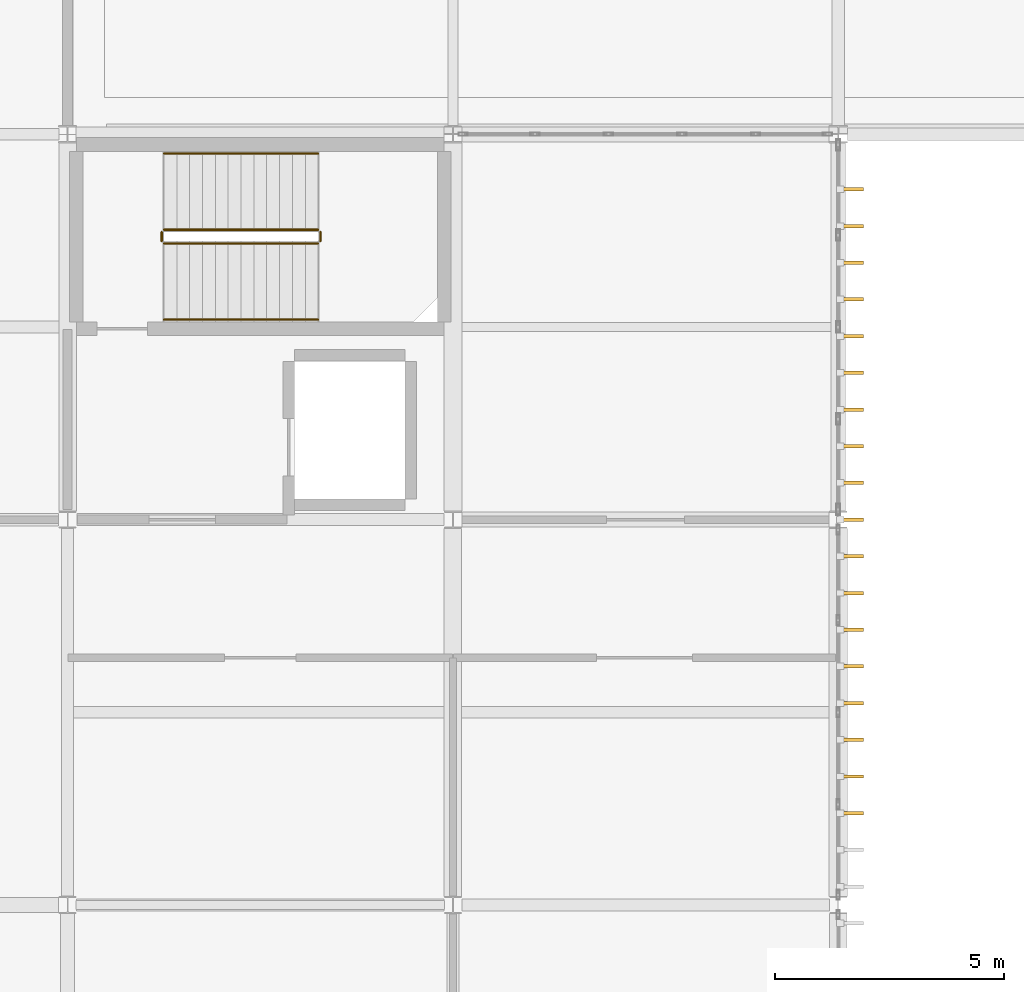
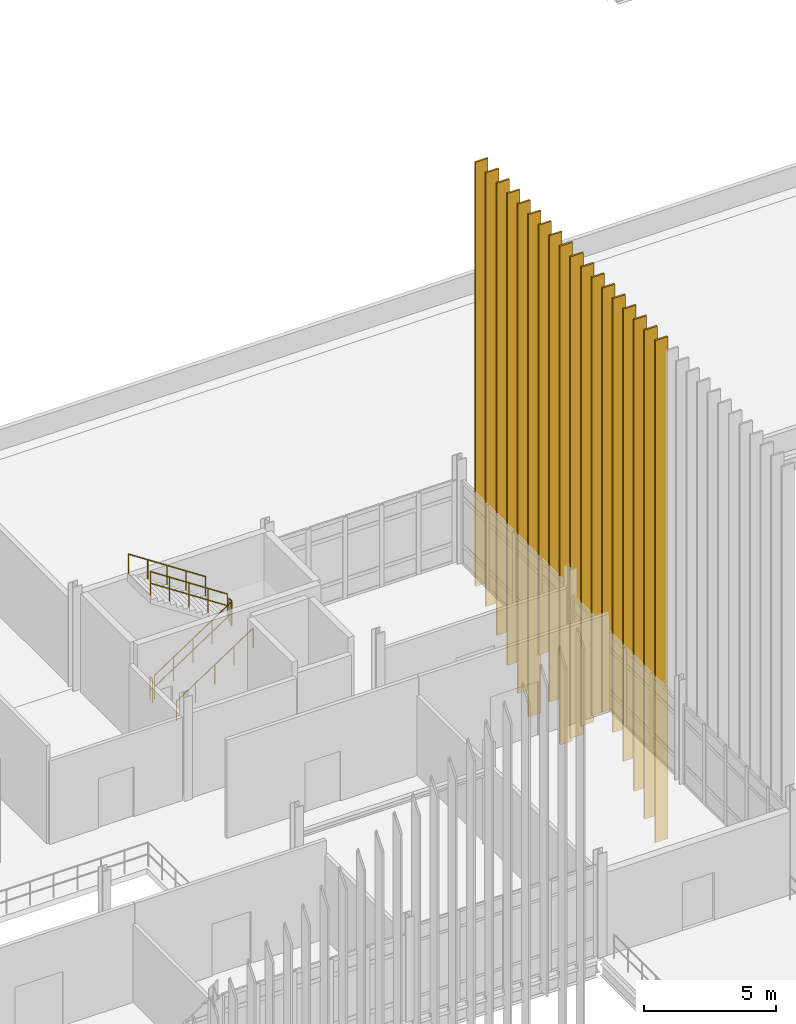
# One storey, part 144 of 153: 18 coverings, 6 railings.
"""IFC4 building model written with IfcOpenShell, lengths in metres."""

from ifc_helpers import new_model, si_unit, direction, frame, origin, origin_2d, place, context, subcontext, project, spatial, rectangle, circle, extrude, material, layer, layer_set, type_object, element, save


model = new_model("IFC4")

# Units and contexts
model_context = context("Model", 3, precision=1e-05, world=origin(), true_north=direction((0.0, 1.0)))
body_context = subcontext(model_context, "Body", "Model", "MODEL_VIEW")
ifc_project = project(units=[si_unit("LENGTHUNIT", "METRE"), si_unit("AREAUNIT", "SQUARE_METRE"), si_unit("VOLUMEUNIT", "CUBIC_METRE"), si_unit("PLANEANGLEUNIT", "RADIAN"), si_unit("MASSUNIT", "GRAM", prefix="KILO")], contexts=[model_context])

# Site, building, storey
site_placement = place(None, origin())
site = spatial("IfcSite", under=ifc_project, at=site_placement, CompositionType="ELEMENT")
building_placement = place(site_placement, origin())
building = spatial("IfcBuilding", under=site, at=building_placement, Name="Calvrana Isthmian Art Gallery", CompositionType="ELEMENT")
storey_placement = place(building_placement, frame((0.0, 0.0, 10.199951171875)))
storey = spatial("IfcBuildingStorey", under=building, at=storey_placement, Name="L02", CompositionType="ELEMENT", Elevation=10.199951171875)

# Coverings
ifc_material_1 = material(Name="Anodized bronze aluminium 6063-T6", Category="aluminium")
ifc_layer = layer(ifc_material_1, 0.074951171875, Name="Anodized bronze aluminium 6063-T6")
ifc_layer_set = layer_set([ifc_layer], Name="Anodized bronze aluminium 6063-T6")
covering_type = type_object("IfcCoveringType", Name="COV-FIN-550", PredefinedType="CLADDING", material=ifc_layer_set)
covering_1_placement = place(storey_placement, frame((80.673095703125, 32.0, -4.0498046875), z_axis=(0.0, 0.0, 1.0), x_axis=(1.0, 0.0, 0.0)))
element("IfcCovering", 1, at=covering_1_placement, inside=storey, type_object=covering_type, Name="Anodized bronze vertical solar fin FN-145", PredefinedType="CLADDING", context=body_context, shape_type="SweptSolid", body=[
    extrude(rectangle(XDim=0.550048828125, YDim=0.074951171875, at=origin_2d()), origin(), (0.0, 0.0, 1.0), 23.199951171875),
])
covering_2_placement = place(storey_placement, frame((80.673095703125, 32.800048828125, -3.449951171875), z_axis=(0.0, 0.0, 1.0), x_axis=(1.0, 0.0, 0.0)))
element("IfcCovering", 2, at=covering_2_placement, inside=storey, type_object=covering_type, Name="Anodized bronze vertical solar fin FN-146", PredefinedType="CLADDING", context=body_context, shape_type="SweptSolid", body=[
    extrude(rectangle(XDim=0.550048828125, YDim=0.074951171875, at=origin_2d()), origin(), (0.0, 0.0, 1.0), 22.60009765625),
])
covering_3_placement = place(storey_placement, frame((80.673095703125, 33.60009765625, -2.64990234375), z_axis=(0.0, 0.0, 1.0), x_axis=(1.0, 0.0, 0.0)))
element("IfcCovering", 3, at=covering_3_placement, inside=storey, type_object=covering_type, Name="Anodized bronze vertical solar fin FN-147", PredefinedType="CLADDING", context=body_context, shape_type="SweptSolid", body=[
    extrude(rectangle(XDim=0.550048828125, YDim=0.074951171875, at=origin_2d()), origin(), (0.0, 0.0, 1.0), 21.800048828125),
])
covering_4_placement = place(storey_placement, frame((80.673095703125, 34.39990234375, -1.75), z_axis=(0.0, 0.0, 1.0), x_axis=(1.0, 0.0, 0.0)))
element("IfcCovering", 4, at=covering_4_placement, inside=storey, type_object=covering_type, Name="Anodized bronze vertical solar fin FN-148", PredefinedType="CLADDING", context=body_context, shape_type="SweptSolid", body=[
    extrude(rectangle(XDim=0.550048828125, YDim=0.074951171875, at=origin_2d()), origin(), (0.0, 0.0, 1.0), 20.89990234375),
])
covering_5_placement = place(storey_placement, frame((80.673095703125, 35.199951171875, -0.89990234375), z_axis=(0.0, 0.0, 1.0), x_axis=(1.0, 0.0, 0.0)))
element("IfcCovering", 5, at=covering_5_placement, inside=storey, type_object=covering_type, Name="Anodized bronze vertical solar fin FN-149", PredefinedType="CLADDING", context=body_context, shape_type="SweptSolid", body=[
    extrude(rectangle(XDim=0.550048828125, YDim=0.074951171875, at=origin_2d()), origin(), (0.0, 0.0, 1.0), 20.050048828125),
])
covering_6_placement = place(storey_placement, frame((80.673095703125, 36.0, -0.449951171875), z_axis=(0.0, 0.0, 1.0), x_axis=(1.0, 0.0, 0.0)))
element("IfcCovering", 6, at=covering_6_placement, inside=storey, type_object=covering_type, Name="Anodized bronze vertical solar fin FN-150", PredefinedType="CLADDING", context=body_context, shape_type="SweptSolid", body=[
    extrude(rectangle(XDim=0.550048828125, YDim=0.074951171875, at=origin_2d()), origin(), (0.0, 0.0, 1.0), 19.60009765625),
])
covering_7_placement = place(storey_placement, frame((80.673095703125, 36.800048828125, -1.099853515625), z_axis=(0.0, 0.0, 1.0), x_axis=(1.0, 0.0, 0.0)))
element("IfcCovering", 7, at=covering_7_placement, inside=storey, type_object=covering_type, Name="Anodized bronze vertical solar fin FN-151", PredefinedType="CLADDING", context=body_context, shape_type="SweptSolid", body=[
    extrude(rectangle(XDim=0.550048828125, YDim=0.074951171875, at=origin_2d()), origin(), (0.0, 0.0, 1.0), 20.25),
])
covering_8_placement = place(storey_placement, frame((80.673095703125, 37.60009765625, -2.0498046875), z_axis=(0.0, 0.0, 1.0), x_axis=(1.0, 0.0, 0.0)))
element("IfcCovering", 8, at=covering_8_placement, inside=storey, type_object=covering_type, Name="Anodized bronze vertical solar fin FN-152", PredefinedType="CLADDING", context=body_context, shape_type="SweptSolid", body=[
    extrude(rectangle(XDim=0.550048828125, YDim=0.074951171875, at=origin_2d()), origin(), (0.0, 0.0, 1.0), 21.199951171875),
])
covering_9_placement = place(storey_placement, frame((80.673095703125, 38.39990234375, -3.099853515625), z_axis=(0.0, 0.0, 1.0), x_axis=(1.0, 0.0, 0.0)))
element("IfcCovering", 9, at=covering_9_placement, inside=storey, type_object=covering_type, Name="Anodized bronze vertical solar fin FN-153", PredefinedType="CLADDING", context=body_context, shape_type="SweptSolid", body=[
    extrude(rectangle(XDim=0.550048828125, YDim=0.074951171875, at=origin_2d()), origin(), (0.0, 0.0, 1.0), 22.25),
])
covering_10_placement = place(storey_placement, frame((80.673095703125, 39.199951171875, -3.89990234375), z_axis=(0.0, 0.0, 1.0), x_axis=(1.0, 0.0, 0.0)))
element("IfcCovering", 10, at=covering_10_placement, inside=storey, type_object=covering_type, Name="Anodized bronze vertical solar fin FN-154", PredefinedType="CLADDING", context=body_context, shape_type="SweptSolid", body=[
    extrude(rectangle(XDim=0.550048828125, YDim=0.074951171875, at=origin_2d()), origin(), (0.0, 0.0, 1.0), 23.050048828125),
])
covering_11_placement = place(storey_placement, frame((80.673095703125, 40.0, -2.39990234375), z_axis=(0.0, 0.0, 1.0), x_axis=(1.0, 0.0, 0.0)))
element("IfcCovering", 11, at=covering_11_placement, inside=storey, type_object=covering_type, Name="Anodized bronze vertical solar fin FN-155", PredefinedType="CLADDING", context=body_context, shape_type="SweptSolid", body=[
    extrude(rectangle(XDim=0.550048828125, YDim=0.074951171875, at=origin_2d()), origin(), (0.0, 0.0, 1.0), 21.550048828125),
])
covering_12_placement = place(storey_placement, frame((80.673095703125, 40.800048828125, -0.699951171875), z_axis=(0.0, 0.0, 1.0), x_axis=(1.0, 0.0, 0.0)))
element("IfcCovering", 12, at=covering_12_placement, inside=storey, type_object=covering_type, Name="Anodized bronze vertical solar fin FN-156", PredefinedType="CLADDING", context=body_context, shape_type="SweptSolid", body=[
    extrude(rectangle(XDim=0.550048828125, YDim=0.074951171875, at=origin_2d()), origin(), (0.0, 0.0, 1.0), 19.85009765625),
])
covering_13_placement = place(storey_placement, frame((80.673095703125, 41.60009765625, -4.0498046875), z_axis=(0.0, 0.0, 1.0), x_axis=(1.0, 0.0, 0.0)))
element("IfcCovering", 13, at=covering_13_placement, inside=storey, type_object=covering_type, Name="Anodized bronze vertical solar fin FN-157", PredefinedType="CLADDING", context=body_context, shape_type="SweptSolid", body=[
    extrude(rectangle(XDim=0.550048828125, YDim=0.074951171875, at=origin_2d()), origin(), (0.0, 0.0, 1.0), 23.199951171875),
])
covering_14_placement = place(storey_placement, frame((80.673095703125, 42.39990234375, -3.449951171875), z_axis=(0.0, 0.0, 1.0), x_axis=(1.0, 0.0, 0.0)))
element("IfcCovering", 14, at=covering_14_placement, inside=storey, type_object=covering_type, Name="Anodized bronze vertical solar fin FN-158", PredefinedType="CLADDING", context=body_context, shape_type="SweptSolid", body=[
    extrude(rectangle(XDim=0.550048828125, YDim=0.074951171875, at=origin_2d()), origin(), (0.0, 0.0, 1.0), 22.60009765625),
])
covering_15_placement = place(storey_placement, frame((80.673095703125, 43.199951171875, -2.64990234375), z_axis=(0.0, 0.0, 1.0), x_axis=(1.0, 0.0, 0.0)))
element("IfcCovering", 15, at=covering_15_placement, inside=storey, type_object=covering_type, Name="Anodized bronze vertical solar fin FN-159", PredefinedType="CLADDING", context=body_context, shape_type="SweptSolid", body=[
    extrude(rectangle(XDim=0.550048828125, YDim=0.074951171875, at=origin_2d()), origin(), (0.0, 0.0, 1.0), 21.800048828125),
])
covering_16_placement = place(storey_placement, frame((80.673095703125, 44.0, -1.75), z_axis=(0.0, 0.0, 1.0), x_axis=(1.0, 0.0, 0.0)))
element("IfcCovering", 16, at=covering_16_placement, inside=storey, type_object=covering_type, Name="Anodized bronze vertical solar fin FN-160", PredefinedType="CLADDING", context=body_context, shape_type="SweptSolid", body=[
    extrude(rectangle(XDim=0.550048828125, YDim=0.074951171875, at=origin_2d()), origin(), (0.0, 0.0, 1.0), 20.89990234375),
])
covering_17_placement = place(storey_placement, frame((80.673095703125, 44.800048828125, -0.89990234375), z_axis=(0.0, 0.0, 1.0), x_axis=(1.0, 0.0, 0.0)))
element("IfcCovering", 17, at=covering_17_placement, inside=storey, type_object=covering_type, Name="Anodized bronze vertical solar fin FN-161", PredefinedType="CLADDING", context=body_context, shape_type="SweptSolid", body=[
    extrude(rectangle(XDim=0.550048828125, YDim=0.074951171875, at=origin_2d()), origin(), (0.0, 0.0, 1.0), 20.050048828125),
])
covering_18_placement = place(storey_placement, frame((80.673095703125, 45.60009765625, -0.449951171875), z_axis=(0.0, 0.0, 1.0), x_axis=(1.0, 0.0, 0.0)))
element("IfcCovering", 18, at=covering_18_placement, inside=storey, type_object=covering_type, Name="Anodized bronze vertical solar fin FN-162", PredefinedType="CLADDING", context=body_context, shape_type="SweptSolid", body=[
    extrude(rectangle(XDim=0.550048828125, YDim=0.074951171875, at=origin_2d()), origin(), (0.0, 0.0, 1.0), 19.60009765625),
])

# Railings
ifc_material_2 = material(Name="Stainless steel 316", Category="steel")
railing_type_1 = type_object("IfcRailingType", Name="RL-GUARD-1120", PredefinedType="BALUSTRADE", material=ifc_material_2)
railing_1_placement = place(storey_placement, frame((65.699951171875, 44.419921875, 0.1845703125)))
element("IfcRailing", 19, at=railing_1_placement, inside=storey, type_object=railing_type_1, Name="Stair ST-2 guard L02-1", PredefinedType="BALUSTRADE", context=body_context, shape_type="SweptSolid", body=[
    extrude(circle(Radius=0.02392578125, at=origin_2d()), frame((0.0, 0.0, 1.09619140625), z_axis=(0.834848600103, 0.0, 0.550479622607), x_axis=(0.0, 1.0, 0.0)), (0.0, 0.0, 1.0), 4.02490234375),
    extrude(circle(Radius=0.02392578125, at=origin_2d()), frame((0.0, 0.0, 0.56005859375), z_axis=(0.834848600103, 0.0, 0.550479622607), x_axis=(0.0, 1.0, 0.0)), (0.0, 0.0, 1.0), 4.02490234375),
    extrude(circle(Radius=0.02099609375, at=origin_2d()), origin(), (0.0, 0.0, 1.0), 1.072021484375),
    extrude(circle(Radius=0.02099609375, at=origin_2d()), frame((0.840087890625, 0.0, 0.553955078125)), (0.0, 0.0, 1.0), 1.072021484375),
    extrude(circle(Radius=0.02099609375, at=origin_2d()), frame((1.68017578125, 0.0, 1.10791015625)), (0.0, 0.0, 1.0), 1.072021484375),
    extrude(circle(Radius=0.02099609375, at=origin_2d()), frame((2.52001953125, 0.0, 1.66162109375)), (0.0, 0.0, 1.0), 1.072021484375),
    extrude(circle(Radius=0.02099609375, at=origin_2d()), frame((3.360107421875, 0.0, 2.215576171875)), (0.0, 0.0, 1.0), 1.072021484375),
])
railing_2_placement = place(storey_placement, frame((69.110107421875, 44.469970703125, 2.400146484375)))
element("IfcRailing", 20, at=railing_2_placement, inside=storey, type_object=railing_type_1, Name="Stair ST-2 guard L02-2", PredefinedType="BALUSTRADE", context=body_context, shape_type="SweptSolid", body=[
    extrude(circle(Radius=0.02392578125, at=origin_2d()), frame((0.0, 0.0, 1.09619140625), z_axis=(0.0, 1.0, 0.0), x_axis=(-1.0, 0.0, 0.0)), (0.0, 0.0, 1.0), 0.199951171875),
    extrude(circle(Radius=0.02392578125, at=origin_2d()), frame((0.0, 0.0, 0.56005859375), z_axis=(0.0, 1.0, 0.0), x_axis=(-1.0, 0.0, 0.0)), (0.0, 0.0, 1.0), 0.199951171875),
    extrude(circle(Radius=0.02099609375, at=origin_2d()), origin(), (0.0, 0.0, 1.0), 1.072021484375),
    extrude(circle(Radius=0.02099609375, at=origin_2d()), frame((0.0, 0.199951171875, 0.0)), (0.0, 0.0, 1.0), 1.072021484375),
])
railing_3_placement = place(storey_placement, frame((69.06005859375, 44.719970703125, 2.584716796875)))
element("IfcRailing", 21, at=railing_3_placement, inside=storey, type_object=railing_type_1, Name="Stair ST-2 guard L02-3", PredefinedType="BALUSTRADE", context=body_context, shape_type="SweptSolid", body=[
    extrude(circle(Radius=0.02392578125, at=origin_2d()), frame((0.0, 0.0, 1.09619140625), z_axis=(-0.834876476806, 0.0, 0.550437342915), x_axis=(0.0, -1.0, 0.0)), (0.0, 0.0, 1.0), 4.024658203125),
    extrude(circle(Radius=0.02392578125, at=origin_2d()), frame((0.0, 0.0, 0.56005859375), z_axis=(-0.834876476806, 0.0, 0.550437342915), x_axis=(0.0, -1.0, 0.0)), (0.0, 0.0, 1.0), 4.024658203125),
    extrude(circle(Radius=0.02099609375, at=origin_2d()), origin(), (0.0, 0.0, 1.0), 1.072021484375),
    extrude(circle(Radius=0.02099609375, at=origin_2d()), frame((-0.840087890625, 0.0, 0.5537109375)), (0.0, 0.0, 1.0), 1.072021484375),
    extrude(circle(Radius=0.02099609375, at=origin_2d()), frame((-1.68017578125, 0.0, 1.107666015625)), (0.0, 0.0, 1.0), 1.072021484375),
    extrude(circle(Radius=0.02099609375, at=origin_2d()), frame((-2.52001953125, 0.0, 1.66162109375)), (0.0, 0.0, 1.0), 1.072021484375),
    extrude(circle(Radius=0.02099609375, at=origin_2d()), frame((-3.360107421875, 0.0, 2.21533203125)), (0.0, 0.0, 1.0), 1.072021484375),
])
railing_4_placement = place(storey_placement, frame((65.64990234375, 44.469970703125, 0.0)))
element("IfcRailing", 22, at=railing_4_placement, inside=storey, type_object=railing_type_1, Name="Stair ST-2 guard L02-4", PredefinedType="BALUSTRADE", context=body_context, shape_type="SweptSolid", body=[
    extrude(circle(Radius=0.02392578125, at=origin_2d()), frame((0.0, 0.0, 1.09619140625), z_axis=(0.0, 1.0, 0.0), x_axis=(-1.0, 0.0, 0.0)), (0.0, 0.0, 1.0), 0.199951171875),
    extrude(circle(Radius=0.02392578125, at=origin_2d()), frame((0.0, 0.0, 0.56005859375), z_axis=(0.0, 1.0, 0.0), x_axis=(-1.0, 0.0, 0.0)), (0.0, 0.0, 1.0), 0.199951171875),
    extrude(circle(Radius=0.02099609375, at=origin_2d()), origin(), (0.0, 0.0, 1.0), 1.072021484375),
    extrude(circle(Radius=0.02099609375, at=origin_2d()), frame((0.0, 0.199951171875, 0.0)), (0.0, 0.0, 1.0), 1.072021484375),
])
railing_type_2 = type_object("IfcRailingType", Name="RL-HAND-920", PredefinedType="HANDRAIL", material=ifc_material_2)
railing_5_placement = place(storey_placement, frame((65.699951171875, 42.760009765625, 0.1845703125)))
element("IfcRailing", 23, at=railing_5_placement, inside=storey, type_object=railing_type_2, Name="Stair ST-2 handrail L02-1", PredefinedType="HANDRAIL", context=body_context, shape_type="SweptSolid", body=[
    extrude(circle(Radius=0.02392578125, at=origin_2d()), frame((0.0, 0.0, 0.89599609375), z_axis=(0.834848600103, 0.0, 0.550479622607), x_axis=(0.0, 1.0, 0.0)), (0.0, 0.0, 1.0), 4.02490234375),
    extrude(circle(Radius=0.02099609375, at=origin_2d()), origin(), (0.0, 0.0, 1.0), 0.871826171875),
    extrude(circle(Radius=0.02099609375, at=origin_2d()), frame((0.840087890625, 0.0, 0.553955078125)), (0.0, 0.0, 1.0), 0.871826171875),
    extrude(circle(Radius=0.02099609375, at=origin_2d()), frame((1.68017578125, 0.0, 1.10791015625)), (0.0, 0.0, 1.0), 0.871826171875),
    extrude(circle(Radius=0.02099609375, at=origin_2d()), frame((2.52001953125, 0.0, 1.66162109375)), (0.0, 0.0, 1.0), 0.871826171875),
    extrude(circle(Radius=0.02099609375, at=origin_2d()), frame((3.360107421875, 0.0, 2.215576171875)), (0.0, 0.0, 1.0), 0.871826171875),
])
railing_6_placement = place(storey_placement, frame((69.06005859375, 46.3798828125, 2.584716796875)))
element("IfcRailing", 24, at=railing_6_placement, inside=storey, type_object=railing_type_2, Name="Stair ST-2 handrail L02-2", PredefinedType="HANDRAIL", context=body_context, shape_type="SweptSolid", body=[
    extrude(circle(Radius=0.02392578125, at=origin_2d()), frame((0.0, 0.0, 0.89599609375), z_axis=(-0.834876476806, 0.0, 0.550437342915), x_axis=(0.0, -1.0, 0.0)), (0.0, 0.0, 1.0), 4.024658203125),
    extrude(circle(Radius=0.02099609375, at=origin_2d()), origin(), (0.0, 0.0, 1.0), 0.871826171875),
    extrude(circle(Radius=0.02099609375, at=origin_2d()), frame((-0.840087890625, 0.0, 0.5537109375)), (0.0, 0.0, 1.0), 0.871826171875),
    extrude(circle(Radius=0.02099609375, at=origin_2d()), frame((-1.68017578125, 0.0, 1.107666015625)), (0.0, 0.0, 1.0), 0.871826171875),
    extrude(circle(Radius=0.02099609375, at=origin_2d()), frame((-2.52001953125, 0.0, 1.66162109375)), (0.0, 0.0, 1.0), 0.871826171875),
    extrude(circle(Radius=0.02099609375, at=origin_2d()), frame((-3.360107421875, 0.0, 2.21533203125)), (0.0, 0.0, 1.0), 0.871826171875),
])

save(model, "model.ifc")
